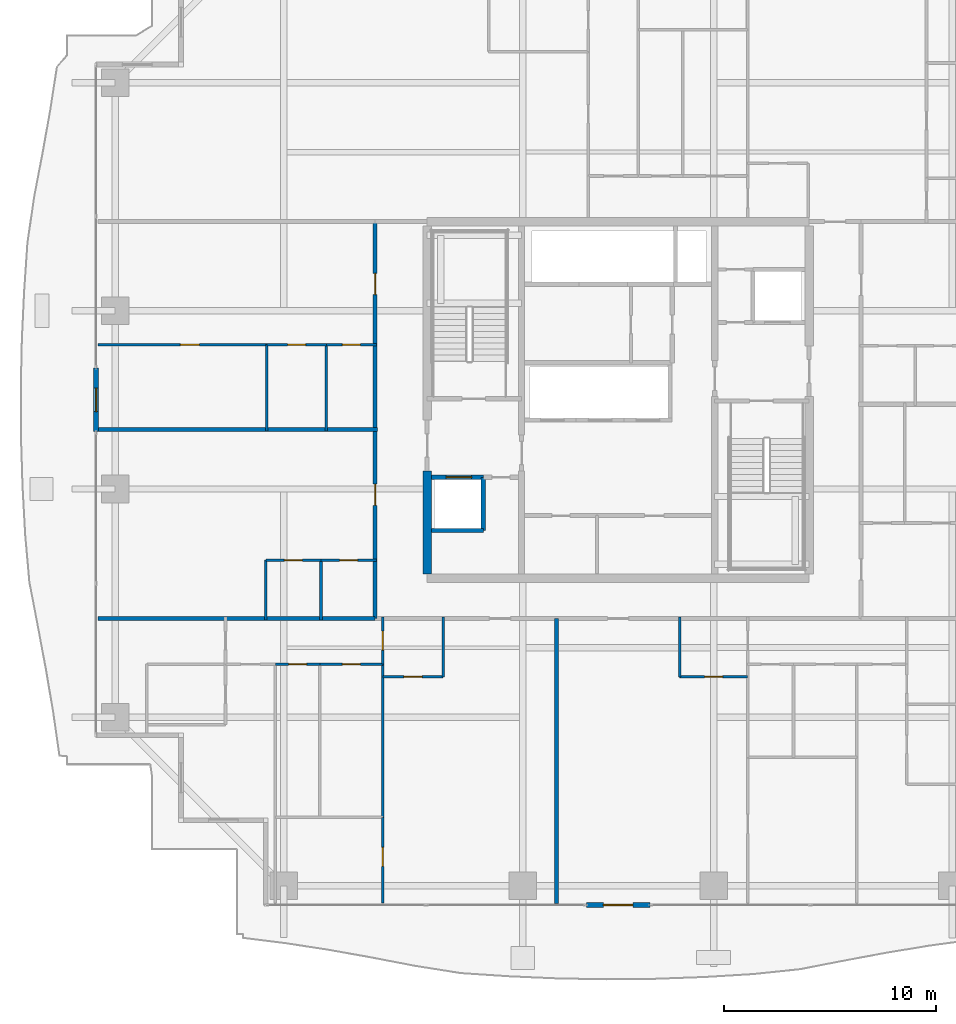
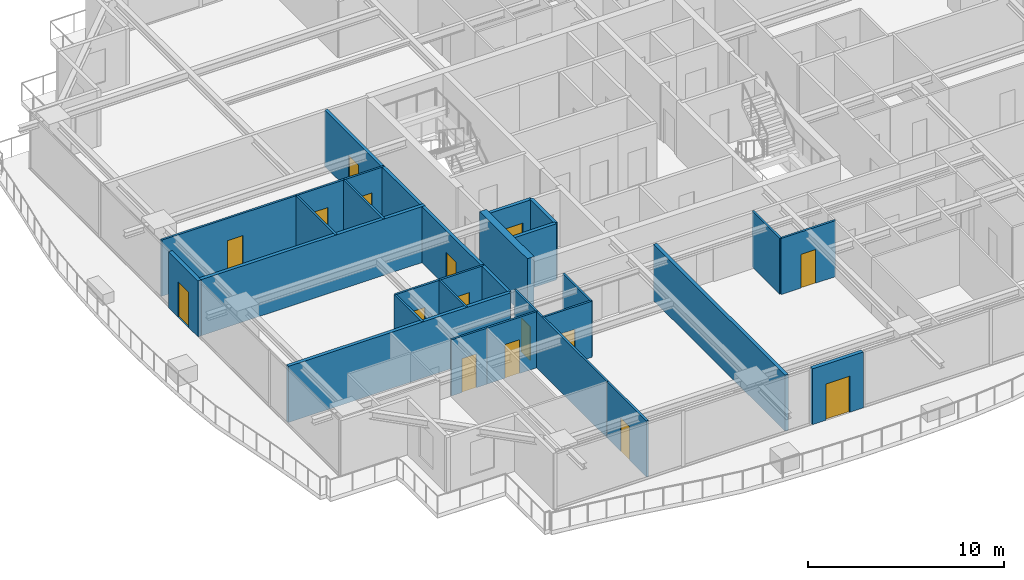
# One storey, part 24 of 34: 28 walls, 16 doors, 16 openings.
"""IFC4 building model written with IfcOpenShell, lengths in metres."""

import ifcopenshell
import ifcopenshell.guid

model = None  # the IFC model being written
_history = None  # IfcOwnerHistory: only IFC2X3 demands one
_inside = {}  # id of a spatial element -> (the spatial element, [elements in it])
_under = {}  # id of a project, library or spatial element -> (it, [spatial elements below it])
_declared = {}  # id of a project -> (the project, [libraries it declares])
_typed = {}  # id of a type object -> (the type object, [elements of that type])
_made_of = {}  # id of a material, layer set ... -> (it, [elements and type objects made of it])


def new_model(schema):
    """Start an empty IFC model of exactly this schema.

    Asked for "IFC4X3", IfcOpenShell would pick the latest addendum, in which some entities
    have other attributes; the version numbers below select the first issue.
    IFC2X3 requires an IfcOwnerHistory on every rooted entity: one is made here for all.
    """
    global model, _history
    if schema == "IFC4X3":
        model = ifcopenshell.file(schema_version=(4, 3, 0, 0))
    else:
        model = ifcopenshell.file(schema=schema)
    _inside.clear()
    _under.clear()
    _declared.clear()
    _typed.clear()
    _made_of.clear()
    _history = None
    if model.schema == "IFC2X3":
        org = make("IfcOrganization", Name="unknown")
        user = make(
            "IfcPersonAndOrganization",
            ThePerson=make("IfcPerson", FamilyName="unknown"),
            TheOrganization=org,
        )
        app = make(
            "IfcApplication",
            ApplicationDeveloper=org,
            Version="unknown",
            ApplicationFullName="unknown",
            ApplicationIdentifier="unknown",
        )
        _history = make(
            "IfcOwnerHistory",
            OwningUser=user,
            OwningApplication=app,
            ChangeAction="ADDED",
            CreationDate=0,
        )
    return model


def make(cls, **values):
    """One entity of the class cls with the attributes given. An attribute that is None is left unset."""
    return model.create_entity(
        cls, **{name: value for name, value in values.items() if value is not None}
    )


def rooted(cls, **values):
    """An entity with a GlobalId (a new one), such as an element, a storey or a relation."""
    return make(cls, GlobalId=ifcopenshell.guid.new(), OwnerHistory=_history, **values)


def si_unit(unit_type, name, prefix=None):
    """IfcSIUnit, for example si_unit("LENGTHUNIT", "METRE", prefix="MILLI")."""
    return make("IfcSIUnit", UnitType=unit_type, Prefix=prefix, Name=name)


def assignment(units):
    """IfcUnitAssignment: the units of a project."""
    return None if units is None else make("IfcUnitAssignment", Units=units)


def point(xyz):
    """IfcCartesianPoint."""
    return None if xyz is None else make("IfcCartesianPoint", Coordinates=xyz)


def direction(xyz):
    """IfcDirection."""
    return None if xyz is None else make("IfcDirection", DirectionRatios=xyz)


def frame(location, z_axis=None, x_axis=None):
    """IfcAxis2Placement3D, a coordinate frame: its origin and axes. An axis left out is left unset."""
    return make(
        "IfcAxis2Placement3D",
        Location=point(location),
        Axis=direction(z_axis),
        RefDirection=direction(x_axis),
    )


def frame_2d(location, x_axis=None):
    """IfcAxis2Placement2D, a coordinate frame in the plane: its origin and x axis."""
    return make(
        "IfcAxis2Placement2D", Location=point(location), RefDirection=direction(x_axis)
    )


def origin():
    """The frame at (0, 0, 0) with its axes left unset."""
    return frame((0.0, 0.0, 0.0))


def place(relative_to, where):
    """IfcLocalPlacement: puts the frame where relative to a parent placement (None: the world)."""
    return make(
        "IfcLocalPlacement", PlacementRelTo=relative_to, RelativePlacement=where
    )


def context(
    kind, dimensions, precision=None, world=None, true_north=None, identifier=None
):
    """IfcGeometricRepresentationContext, for example the 3D "Model" context."""
    return make(
        "IfcGeometricRepresentationContext",
        ContextIdentifier=identifier,
        ContextType=kind,
        CoordinateSpaceDimension=dimensions,
        Precision=precision,
        WorldCoordinateSystem=world,
        TrueNorth=true_north,
    )


def subcontext(parent, identifier, kind, view, scale=None):
    """IfcGeometricRepresentationSubContext, for example "Body" below "Model"."""
    return make(
        "IfcGeometricRepresentationSubContext",
        ContextIdentifier=identifier,
        ContextType=kind,
        ParentContext=parent,
        TargetScale=scale,
        TargetView=view,
    )


def project(units=None, contexts=None):
    """IfcProject with its units and contexts."""
    return rooted(
        "IfcProject",
        Name="project",
        RepresentationContexts=contexts,
        UnitsInContext=assignment(units),
    )


def spatial(cls, under=None, at=None, **own):
    """A site, building, storey or space (cls), placed at a placement, below another one or the project."""
    s = rooted(cls, ObjectPlacement=at, **own)
    if under is not None:
        _under.setdefault(under.id(), (under, []))[1].append(s)
    return s


def profile(cls, at=None, kind="AREA", **sizes):
    """A parametric profile (cls). Its sizes go by their IFC names, for example OverallWidth=200.0."""
    return make(cls, ProfileType=kind, Position=at, **sizes)


def rectangle(**sizes):
    """IfcRectangleProfileDef."""
    return profile("IfcRectangleProfileDef", **sizes)


def extrude(swept, where, along, depth):
    """IfcExtrudedAreaSolid: the profile swept, set in the frame where, extruded along a direction by depth."""
    return make(
        "IfcExtrudedAreaSolid",
        SweptArea=swept,
        Position=where,
        ExtrudedDirection=direction(along),
        Depth=depth,
    )


def shape(context_of_items, identifier, shape_type, items):
    """IfcShapeRepresentation: the items that make up one representation, for example the "Body"."""
    return make(
        "IfcShapeRepresentation",
        ContextOfItems=context_of_items,
        RepresentationIdentifier=identifier,
        RepresentationType=shape_type,
        Items=items,
    )


def source(mapping_origin, context_of_items, identifier, shape_type, items):
    """IfcRepresentationMap: a shape defined once, which mapped items show again and again."""
    return make(
        "IfcRepresentationMap",
        MappingOrigin=mapping_origin,
        MappedRepresentation=shape(context_of_items, identifier, shape_type, items),
    )


def transform(
    local_origin,
    x_axis=None,
    y_axis=None,
    z_axis=None,
    scale=None,
    scale2=None,
    scale3=None,
    uniform=True,
):
    """IfcCartesianTransformationOperator3D, or its non-uniform kind. x_axis, y_axis, z_axis: its Axis1, 2, 3."""
    if uniform:
        return make(
            "IfcCartesianTransformationOperator3D",
            Axis1=direction(x_axis),
            Axis2=direction(y_axis),
            LocalOrigin=point(local_origin),
            Scale=scale,
            Axis3=direction(z_axis),
        )
    return make(
        "IfcCartesianTransformationOperator3DnonUniform",
        Axis1=direction(x_axis),
        Axis2=direction(y_axis),
        LocalOrigin=point(local_origin),
        Scale=scale,
        Axis3=direction(z_axis),
        Scale2=scale2,
        Scale3=scale3,
    )


def mapped(mapping_source, mapping_target):
    """IfcMappedItem: shows the shape of a source again, moved by a transform."""
    return make(
        "IfcMappedItem", MappingSource=mapping_source, MappingTarget=mapping_target
    )


def material(Name=None, Category=None):
    """IfcMaterial."""
    return make("IfcMaterial", Name=Name, Category=Category)


def layer(
    of_material, thickness, ventilated=None, Name=None, Category=None, Priority=None
):
    """IfcMaterialLayer: one layer of a wall or slab, of a material (None: an air gap)."""
    return make(
        "IfcMaterialLayer",
        Material=of_material,
        LayerThickness=thickness,
        IsVentilated=ventilated,
        Name=Name,
        Category=Category,
        Priority=Priority,
    )


def layer_set(layers, Name=None):
    """IfcMaterialLayerSet."""
    return make("IfcMaterialLayerSet", MaterialLayers=layers, LayerSetName=Name)


def made_of(thing, what):
    """Note that an element or type object is made of a material, layer set ...; save() writes the relation."""
    if what is not None:
        _made_of.setdefault(what.id(), (what, []))[1].append(thing)
    return thing


def type_object(cls, material=None, **own):
    """A type object (cls), such as IfcWallType, which elements share."""
    return made_of(rooted(cls, **own), material)


def element(
    cls,
    number,
    at=None,
    inside=None,
    cuts=None,
    type_object=None,
    material=None,
    context=None,
    identifier="Body",
    shape_type=None,
    held_by="IfcProductDefinitionShape",
    body=None,
    shapes=None,
    **own,
):
    """One element of the class cls, such as IfcWall. Its Tag is "e" and its number.

    at: its placement. inside: the storey or other place that contains it. cuts: it is an
    opening in that element (IfcRelVoidsElement). A single representation is given by context,
    identifier, shape_type and body (its items); several are given by shapes. held_by: the class
    of the entity that holds the representations. save() writes the other relations.
    """
    e = rooted(cls, Tag="e%d" % number, ObjectPlacement=at, **own)
    if body is not None:
        shapes = [shape(context, identifier, shape_type, body)]
    if shapes is not None:
        e.Representation = make(held_by, Representations=shapes)
    if inside is not None:
        _inside.setdefault(inside.id(), (inside, []))[1].append(e)
    if cuts is not None:
        rooted(
            "IfcRelVoidsElement", RelatingBuildingElement=cuts, RelatedOpeningElement=e
        )
    if type_object is not None:
        _typed.setdefault(type_object.id(), (type_object, []))[1].append(e)
    return made_of(e, material)


def fill(opening, filler):
    """IfcRelFillsElement: the door or window that sits in an opening."""
    return rooted(
        "IfcRelFillsElement",
        RelatingOpeningElement=opening,
        RelatedBuildingElement=filler,
    )


def aggregate(whole, parts):
    """IfcRelAggregates: a whole, such as a stair, and the parts it consists of."""
    return rooted("IfcRelAggregates", RelatingObject=whole, RelatedObjects=parts)


def save(model, path):
    """Write the relations noted so far, then the file.

    IfcRelAggregates (storeys below a building ...), IfcRelContainedInSpatialStructure (elements
    in a storey), IfcRelDefinesByType, IfcRelAssociatesMaterial and IfcRelDeclares: one each for
    every whole, place, type object, material and project.
    """
    for whole, parts in _under.values():
        aggregate(whole, parts)
    for where, things in _inside.values():
        rooted(
            "IfcRelContainedInSpatialStructure",
            RelatedElements=things,
            RelatingStructure=where,
        )
    for kind, things in _typed.values():
        rooted("IfcRelDefinesByType", RelatedObjects=things, RelatingType=kind)
    for what, things in _made_of.values():
        rooted("IfcRelAssociatesMaterial", RelatedObjects=things, RelatingMaterial=what)
    for by, libraries in _declared.values():
        rooted("IfcRelDeclares", RelatingContext=by, RelatedDefinitions=libraries)
    model.write(path)


model = new_model("IFC4")

# Units and contexts
model_context = context("Model", 3, precision=1e-05, world=origin(), true_north=direction((0.0, 1.0)))
body_context = subcontext(model_context, "Body", "Model", "MODEL_VIEW")
ifc_project = project(units=[si_unit("LENGTHUNIT", "METRE"), si_unit("AREAUNIT", "SQUARE_METRE"), si_unit("VOLUMEUNIT", "CUBIC_METRE"), si_unit("PLANEANGLEUNIT", "RADIAN"), si_unit("MASSUNIT", "GRAM", prefix="KILO")], contexts=[model_context])

# Site, building, storey
site_placement = place(None, origin())
site = spatial("IfcSite", under=ifc_project, at=site_placement, CompositionType="ELEMENT")
building_placement = place(site_placement, origin())
building = spatial("IfcBuilding", under=site, at=building_placement, Name="Serunith Strait Residences", CompositionType="ELEMENT")
storey_placement = place(building_placement, frame((0.0, 0.0, 142.64990234375)))
storey = spatial("IfcBuildingStorey", under=building, at=storey_placement, Name="L35", CompositionType="ELEMENT", Elevation=142.64990234375)

# Wall, opening, door
ifc_material_1 = material(Name="Pale-Champagne Aluminium Insulated Panel", Category="aluminium")
ifc_layer_1 = layer(ifc_material_1, 0.219970703125, Name="Pale-Champagne Aluminium Insulated Panel")
ifc_layer_set_1 = layer_set([ifc_layer_1], Name="Pale-Champagne Aluminium Insulated Panel")
wall_type_1 = type_object("IfcWallType", Name="EW-ALUM-220", PredefinedType="ELEMENTEDWALL", material=ifc_layer_set_1)
wall_1_placement = place(storey_placement, frame((30.89990234375, 1.39990234375, 0.0), z_axis=(0.0, 0.0, 1.0), x_axis=(1.0, 0.0, 0.0)))
wall_1 = element("IfcWall", 1, at=wall_1_placement, inside=storey, type_object=wall_type_1, Name="L35 S Facade Pier Wall", PredefinedType="ELEMENTEDWALL", context=body_context, shape_type="SweptSolid", body=[
    extrude(rectangle(XDim=3.0, YDim=0.219970703125, at=frame_2d((1.5, 0.0))), origin(), (0.0, 0.0, 1.0), 3.47509765625),
])
opening_1_placement = place(wall_1_placement, frame((0.800048828125, 0.0, 0.0)))
opening_1 = element("IfcOpeningElement", 2, at=opening_1_placement, cuts=wall_1, Name="Opening ED-04", PredefinedType="OPENING", context=body_context, shape_type="SweptSolid", body=[
    extrude(rectangle(XDim=1.39990234375, YDim=2.25, at=frame_2d((0.699951171875, 1.125))), frame((0.0, 0.1201171875, 0.0), z_axis=(0.0, -1.0, 0.0), x_axis=(1.0, 0.0, 0.0)), (0.0, 0.0, 1.0), 0.239990234375),
])
ifc_material_2 = material(Name="Thermally-Broken Aluminium Sliding Balcony Door", Category="aluminium")
door_type_1 = type_object("IfcDoorType", Name="ED-BALC-1400", OperationType="NOTDEFINED", PredefinedType="DOOR", material=ifc_material_2)
shared_shape_1 = source(origin(), body_context, "Body", "SweptSolid", [
    extrude(rectangle(XDim=1.39990234375, YDim=2.25, at=frame_2d((0.699951171875, 1.125))), frame((0.0, 0.02490234375, 0.0), z_axis=(0.0, -1.0, 0.0), x_axis=(1.0, 0.0, 0.0)), (0.0, 0.0, 1.0), 0.050048828125),
])
door_1_placement = place(opening_1_placement, origin())
door_1 = element("IfcDoor", 3, at=door_1_placement, inside=storey, type_object=door_type_1, Name="L35 S Vertical-Forest Balcony Door", OperationType="SLIDING_TO_LEFT", OverallHeight=2.25, OverallWidth=1.39990234375, PredefinedType="DOOR", context=body_context, shape_type="MappedRepresentation", body=[
    mapped(shared_shape_1, transform((0.0, 0.0, 0.0), scale=1.0)),
])
fill(opening_1, door_1)

wall_2_placement = place(storey_placement, frame((7.800048828125, 26.699951171875, 0.0), z_axis=(0.0, 0.0, 1.0), x_axis=(0.0, -1.0, 0.0)))
wall_2 = element("IfcWall", 4, at=wall_2_placement, inside=storey, type_object=wall_type_1, Name="L35 W Facade Pier Wall", PredefinedType="ELEMENTEDWALL", context=body_context, shape_type="SweptSolid", body=[
    extrude(rectangle(XDim=3.0, YDim=0.219970703125, at=frame_2d((1.5, 0.0))), origin(), (0.0, 0.0, 1.0), 3.47509765625),
])
opening_2_placement = place(wall_2_placement, frame((0.949951171875, 0.0, 0.0)))
opening_2 = element("IfcOpeningElement", 5, at=opening_2_placement, cuts=wall_2, Name="Opening ED-03", PredefinedType="OPENING", context=body_context, shape_type="SweptSolid", body=[
    extrude(rectangle(XDim=1.10009765625, YDim=2.199951171875, at=frame_2d((0.550048828125, 1.10009765625))), frame((0.0, 0.1201171875, 0.0), z_axis=(0.0, -1.0, 0.0), x_axis=(1.0, 0.0, 0.0)), (0.0, 0.0, 1.0), 0.239990234375),
])
ifc_material_3 = material(Name="Thermally-Broken Aluminium Glazed Balcony Door", Category="aluminium")
door_type_2 = type_object("IfcDoorType", Name="ED-BALC-1100", OperationType="NOTDEFINED", PredefinedType="DOOR", material=ifc_material_3)
shared_shape_2 = source(origin(), body_context, "Body", "SweptSolid", [
    extrude(rectangle(XDim=1.10009765625, YDim=2.199951171875, at=frame_2d((0.550048828125, 1.10009765625))), frame((0.0, 0.02490234375, 0.0), z_axis=(0.0, -1.0, 0.0), x_axis=(1.0, 0.0, 0.0)), (0.0, 0.0, 1.0), 0.050048828125),
])
door_2_placement = place(opening_2_placement, origin())
door_2 = element("IfcDoor", 6, at=door_2_placement, inside=storey, type_object=door_type_2, Name="L35 W Vertical-Forest Balcony Door", OperationType="SINGLE_SWING_LEFT", OverallHeight=2.199951171875, OverallWidth=1.10009765625, PredefinedType="DOOR", context=body_context, shape_type="MappedRepresentation", body=[
    mapped(shared_shape_2, transform((0.0, 0.0, 0.0), scale=1.0)),
])
fill(opening_2, door_2)

# Wall, openings, doors
ifc_material_4 = material(Name="Fire-rated acoustic gypsum partition")
ifc_layer_2 = layer(ifc_material_4, 0.179931640625, Name="Fire-rated acoustic gypsum partition")
ifc_layer_set_2 = layer_set([ifc_layer_2], Name="Fire-rated acoustic gypsum partition")
wall_type_2 = type_object("IfcWallType", Name="IW-CORR-180", PredefinedType="PARTITIONING", material=ifc_layer_set_2)
wall_3_placement = place(storey_placement, frame((20.949951171875, 14.89990234375, 0.0), z_axis=(0.0, 0.0, 1.0), x_axis=(0.0, 1.0, 0.0)))
wall_3 = element("IfcWall", 7, at=wall_3_placement, inside=storey, type_object=wall_type_2, Name="L35 Partition Wall 026", PredefinedType="PARTITIONING", context=body_context, shape_type="SweptSolid", body=[
    extrude(rectangle(XDim=18.7001953125, YDim=0.179931640625, at=frame_2d((9.35009765625, 0.0))), origin(), (0.0, 0.0, 1.0), 3.489990234375),
])
opening_3_placement = place(wall_3_placement, frame((5.327880859375, 0.0, 0.0)))
opening_3 = element("IfcOpeningElement", 8, at=opening_3_placement, cuts=wall_3, Name="Opening D-APT1000", PredefinedType="OPENING", context=body_context, shape_type="SweptSolid", body=[
    extrude(rectangle(XDim=1.0, YDim=2.14990234375, at=frame_2d((0.5, 1.074951171875))), frame((0.0, 0.10009765625, 0.0), z_axis=(0.0, -1.0, 0.0), x_axis=(1.0, 0.0, 0.0)), (0.0, 0.0, 1.0), 0.199951171875),
])
opening_4_placement = place(wall_3_placement, frame((15.257080078125, 0.0, 0.0)))
opening_4 = element("IfcOpeningElement", 9, at=opening_4_placement, cuts=wall_3, Name="Opening D-APT1000", PredefinedType="OPENING", context=body_context, shape_type="SweptSolid", body=[
    extrude(rectangle(XDim=1.0, YDim=2.14990234375, at=frame_2d((0.5, 1.074951171875))), frame((0.0, 0.10009765625, 0.0), z_axis=(0.0, -1.0, 0.0), x_axis=(1.0, 0.0, 0.0)), (0.0, 0.0, 1.0), 0.199951171875),
])
ifc_material_5 = material(Name="Solid timber engineered fire door", Category="wood")
door_type_3 = type_object("IfcDoorType", Name="ID-APT-1000", OperationType="NOTDEFINED", PredefinedType="DOOR", material=ifc_material_5)
shared_shape_3 = source(origin(), body_context, "Body", "SweptSolid", [
    extrude(rectangle(XDim=1.0, YDim=2.14990234375, at=frame_2d((0.5, 1.074951171875))), frame((0.0, 0.02490234375, 0.0), z_axis=(0.0, -1.0, 0.0), x_axis=(1.0, 0.0, 0.0)), (0.0, 0.0, 1.0), 0.050048828125),
])
door_3_placement = place(opening_3_placement, origin())
door_3 = element("IfcDoor", 10, at=door_3_placement, inside=storey, type_object=door_type_3, Name="L35 Unit 04 Entrance Door", OperationType="SINGLE_SWING_RIGHT", OverallHeight=2.14990234375, OverallWidth=1.0, PredefinedType="DOOR", context=body_context, shape_type="MappedRepresentation", body=[
    mapped(shared_shape_3, transform((0.0, 0.0, 0.0), scale=1.0)),
])
fill(opening_3, door_3)
door_4_placement = place(opening_4_placement, origin())
door_4 = element("IfcDoor", 11, at=door_4_placement, inside=storey, type_object=door_type_3, Name="L35 Unit 05 Entrance Door", OperationType="SINGLE_SWING_LEFT", OverallHeight=2.14990234375, OverallWidth=1.0, PredefinedType="DOOR", context=body_context, shape_type="MappedRepresentation", body=[
    mapped(shared_shape_3, transform((0.0, 0.0, 0.0), scale=1.0)),
])
fill(opening_4, door_4)

# Wall, opening, door
ifc_material_6 = material(Name="Lightweight steel-stud gypsum partition", Category="steel")
ifc_layer_3 = layer(ifc_material_6, 0.1201171875, Name="Lightweight steel-stud gypsum partition")
ifc_layer_set_3 = layer_set([ifc_layer_3], Name="Lightweight steel-stud gypsum partition")
wall_type_3 = type_object("IfcWallType", Name="IW-PART-120", PredefinedType="PARTITIONING", material=ifc_layer_set_3)
wall_4_placement = place(storey_placement, frame((21.31005859375, 12.14990234375, 0.0), z_axis=(0.0, 0.0, 1.0), x_axis=(1.0, 0.0, 0.0)))
wall_4 = element("IfcWall", 12, at=wall_4_placement, inside=storey, type_object=wall_type_3, Name="L35 Partition Wall 030", PredefinedType="PARTITIONING", context=body_context, shape_type="SweptSolid", body=[
    extrude(rectangle(XDim=2.849853515625, YDim=0.1201171875, at=frame_2d((1.4248046875, 0.0))), origin(), (0.0, 0.0, 1.0), 3.489990234375),
])
opening_5_placement = place(wall_4_placement, frame((1.0, 0.0, 0.0)))
opening_5 = element("IfcOpeningElement", 13, at=opening_5_placement, cuts=wall_4, Name="Opening D-RM850", PredefinedType="OPENING", context=body_context, shape_type="SweptSolid", body=[
    extrude(rectangle(XDim=0.85009765625, YDim=2.10009765625, at=frame_2d((0.425048828125, 1.050048828125))), frame((0.0, 0.070068359375, 0.0), z_axis=(0.0, -1.0, 0.0), x_axis=(1.0, 0.0, 0.0)), (0.0, 0.0, 1.0), 0.14013671875),
])
ifc_material_7 = material(Name="Engineered timber flush study and kitchen door", Category="wood")
door_type_4 = type_object("IfcDoorType", Name="ID-ROOM-850", OperationType="NOTDEFINED", PredefinedType="DOOR", material=ifc_material_7)
shared_shape_4 = source(origin(), body_context, "Body", "SweptSolid", [
    extrude(rectangle(XDim=0.85009765625, YDim=2.10009765625, at=frame_2d((0.425048828125, 1.050048828125))), frame((0.0, 0.02490234375, 0.0), z_axis=(0.0, -1.0, 0.0), x_axis=(1.0, 0.0, 0.0)), (0.0, 0.0, 1.0), 0.050048828125),
])
door_5_placement = place(opening_5_placement, origin())
door_5 = element("IfcDoor", 14, at=door_5_placement, inside=storey, type_object=door_type_4, Name="L35 Kitchen 3501 Door", OperationType="SINGLE_SWING_LEFT", OverallHeight=2.10009765625, OverallWidth=0.85009765625, PredefinedType="DOOR", context=body_context, shape_type="MappedRepresentation", body=[
    mapped(shared_shape_4, transform((0.0, 0.0, 0.0), scale=1.0)),
])
fill(opening_5, door_5)

# Wall
wall_5_placement = place(storey_placement, frame((24.159912109375, 12.14990234375, 0.0), z_axis=(0.0, 0.0, 1.0), x_axis=(0.0, 1.0, 0.0)))
element("IfcWall", 15, at=wall_5_placement, inside=storey, type_object=wall_type_3, Name="L35 Partition Wall 031", PredefinedType="PARTITIONING", context=body_context, shape_type="SweptSolid", body=[
    extrude(rectangle(XDim=2.81005859375, YDim=0.1201171875, at=frame_2d((1.405029296875, 0.0))), origin(), (0.0, 0.0, 1.0), 3.489990234375),
])

# Wall, opening, door
wall_6_placement = place(storey_placement, frame((21.31005859375, 12.75, 0.0), z_axis=(0.0, 0.0, 1.0), x_axis=(0.0, 1.0, 0.0)))
wall_6 = element("IfcWall", 16, at=wall_6_placement, inside=storey, type_object=wall_type_3, Name="L35 Partition Wall 032", PredefinedType="PARTITIONING", context=body_context, shape_type="SweptSolid", body=[
    extrude(rectangle(XDim=2.2099609375, YDim=0.1201171875, at=frame_2d((1.10498046875, 0.0))), origin(), (0.0, 0.0, 1.0), 3.489990234375),
])
opening_6_placement = place(wall_6_placement, frame((0.655029296875, 0.0, 0.0)))
opening_6 = element("IfcOpeningElement", 17, at=opening_6_placement, cuts=wall_6, Name="Opening D-RM900", PredefinedType="OPENING", context=body_context, shape_type="SweptSolid", body=[
    extrude(rectangle(XDim=0.89990234375, YDim=2.10009765625, at=frame_2d((0.449951171875, 1.050048828125))), frame((0.0, 0.070068359375, 0.0), z_axis=(0.0, -1.0, 0.0), x_axis=(1.0, 0.0, 0.0)), (0.0, 0.0, 1.0), 0.14013671875),
])
ifc_material_8 = material(Name="Engineered timber flush bedroom door", Category="wood")
door_type_5 = type_object("IfcDoorType", Name="ID-ROOM-900", OperationType="NOTDEFINED", PredefinedType="DOOR", material=ifc_material_8)
shared_shape_5 = source(origin(), body_context, "Body", "SweptSolid", [
    extrude(rectangle(XDim=0.89990234375, YDim=2.10009765625, at=frame_2d((0.449951171875, 1.050048828125))), frame((0.0, 0.02490234375, 0.0), z_axis=(0.0, -1.0, 0.0), x_axis=(1.0, 0.0, 0.0)), (0.0, 0.0, 1.0), 0.050048828125),
])
door_6_placement = place(opening_6_placement, origin())
door_6 = element("IfcDoor", 18, at=door_6_placement, inside=storey, type_object=door_type_5, Name="L35 Hall W 3501 Door", OperationType="SINGLE_SWING_RIGHT", OverallHeight=2.10009765625, OverallWidth=0.89990234375, PredefinedType="DOOR", context=body_context, shape_type="MappedRepresentation", body=[
    mapped(shared_shape_5, transform((0.0, 0.0, 0.0), scale=1.0)),
])
fill(opening_6, door_6)

wall_7_placement = place(storey_placement, frame((21.31005859375, 1.4951171875, 0.0), z_axis=(0.0, 0.0, 1.0), x_axis=(0.0, 1.0, 0.0)))
wall_7 = element("IfcWall", 19, at=wall_7_placement, inside=storey, type_object=wall_type_3, Name="L35 Partition Wall 033", PredefinedType="PARTITIONING", context=body_context, shape_type="SweptSolid", body=[
    extrude(rectangle(XDim=4.035888671875, YDim=0.1201171875, at=frame_2d((2.01806640625, 0.0))), origin(), (0.0, 0.0, 1.0), 3.489990234375),
])
opening_7_placement = place(wall_7_placement, frame((1.72509765625, 0.0, 0.0)))
opening_7 = element("IfcOpeningElement", 20, at=opening_7_placement, cuts=wall_7, Name="Opening D-RM900", PredefinedType="OPENING", context=body_context, shape_type="SweptSolid", body=[
    extrude(rectangle(XDim=0.89990234375, YDim=2.10009765625, at=frame_2d((0.449951171875, 1.050048828125))), frame((0.0, 0.070068359375, 0.0), z_axis=(0.0, -1.0, 0.0), x_axis=(1.0, 0.0, 0.0)), (0.0, 0.0, 1.0), 0.14013671875),
])
door_7_placement = place(opening_7_placement, origin())
door_7 = element("IfcDoor", 21, at=door_7_placement, inside=storey, type_object=door_type_5, Name="L35 Study 1 3501 Door", OperationType="SINGLE_SWING_LEFT", OverallHeight=2.10009765625, OverallWidth=0.89990234375, PredefinedType="DOOR", context=body_context, shape_type="MappedRepresentation", body=[
    mapped(shared_shape_5, transform((0.0, 0.0, 0.0), scale=1.0)),
])
fill(opening_7, door_7)

# Wall
wall_8_placement = place(storey_placement, frame((21.31005859375, 5.532958984375, 0.0), z_axis=(0.0, 0.0, 1.0), x_axis=(0.0, 1.0, 0.0)))
element("IfcWall", 22, at=wall_8_placement, inside=storey, type_object=wall_type_3, Name="L35 Partition Wall 034", PredefinedType="PARTITIONING", context=body_context, shape_type="SweptSolid", body=[
    extrude(rectangle(XDim=7.215087890625, YDim=0.1201171875, at=frame_2d((3.607421875, 0.0))), origin(), (0.0, 0.0, 1.0), 3.489990234375),
])

# Wall, opening, door
wall_9_placement = place(storey_placement, frame((16.25, 12.75, 0.0), z_axis=(0.0, 0.0, 1.0), x_axis=(1.0, 0.0, 0.0)))
wall_9 = element("IfcWall", 23, at=wall_9_placement, inside=storey, type_object=wall_type_3, Name="L35 Partition Wall 038", PredefinedType="PARTITIONING", context=body_context, shape_type="SweptSolid", body=[
    extrude(rectangle(XDim=2.10009765625, YDim=0.1201171875, at=frame_2d((1.050048828125, 0.0))), origin(), (0.0, 0.0, 1.0), 3.489990234375),
])
opening_8_placement = place(wall_9_placement, frame((0.625, 0.0, 0.0)))
opening_8 = element("IfcOpeningElement", 24, at=opening_8_placement, cuts=wall_9, Name="Opening D-BTH850", PredefinedType="OPENING", context=body_context, shape_type="SweptSolid", body=[
    extrude(rectangle(XDim=0.85009765625, YDim=2.10009765625, at=frame_2d((0.425048828125, 1.050048828125))), frame((0.0, 0.070068359375, 0.0), z_axis=(0.0, -1.0, 0.0), x_axis=(1.0, 0.0, 0.0)), (0.0, 0.0, 1.0), 0.14013671875),
])
ifc_material_9 = material(Name="Moisture-resistant timber bathroom door", Category="wood")
door_type_6 = type_object("IfcDoorType", Name="ID-BATH-850", OperationType="NOTDEFINED", PredefinedType="DOOR", material=ifc_material_9)
door_8_placement = place(opening_8_placement, origin())
door_8 = element("IfcDoor", 25, at=door_8_placement, inside=storey, type_object=door_type_6, Name="L35 Bathroom 3501 Door", OperationType="SINGLE_SWING_RIGHT", OverallHeight=2.10009765625, OverallWidth=0.85009765625, PredefinedType="DOOR", context=body_context, shape_type="MappedRepresentation", body=[
    mapped(shared_shape_4, transform((0.0, 0.0, 0.0), scale=1.0)),
])
fill(opening_8, door_8)

wall_10_placement = place(storey_placement, frame((18.35205078125, 12.75, 0.0), z_axis=(0.0, 0.0, 1.0), x_axis=(1.0, 0.0, 0.0)))
wall_10 = element("IfcWall", 26, at=wall_10_placement, inside=storey, type_object=wall_type_3, Name="L35 Partition Wall 039", PredefinedType="PARTITIONING", context=body_context, shape_type="SweptSolid", body=[
    extrude(rectangle(XDim=2.9580078125, YDim=0.1201171875, at=frame_2d((1.47900390625, 0.0))), origin(), (0.0, 0.0, 1.0), 3.489990234375),
])
opening_9_placement = place(wall_10_placement, frame((1.053955078125, 0.0, 0.0)))
opening_9 = element("IfcOpeningElement", 27, at=opening_9_placement, cuts=wall_10, Name="Opening D-RM850", PredefinedType="OPENING", context=body_context, shape_type="SweptSolid", body=[
    extrude(rectangle(XDim=0.85009765625, YDim=2.10009765625, at=frame_2d((0.425048828125, 1.050048828125))), frame((0.0, 0.070068359375, 0.0), z_axis=(0.0, -1.0, 0.0), x_axis=(1.0, 0.0, 0.0)), (0.0, 0.0, 1.0), 0.14013671875),
])
door_9_placement = place(opening_9_placement, origin())
door_9 = element("IfcDoor", 28, at=door_9_placement, inside=storey, type_object=door_type_4, Name="L35 Study 3501 Door", OperationType="SINGLE_SWING_LEFT", OverallHeight=2.10009765625, OverallWidth=0.85009765625, PredefinedType="DOOR", context=body_context, shape_type="MappedRepresentation", body=[
    mapped(shared_shape_4, transform((0.0, 0.0, 0.0), scale=1.0)),
])
fill(opening_9, door_9)

wall_11_placement = place(storey_placement, frame((35.300048828125, 12.14990234375, 0.0), z_axis=(0.0, 0.0, 1.0), x_axis=(1.0, 0.0, 0.0)))
wall_11 = element("IfcWall", 29, at=wall_11_placement, inside=storey, type_object=wall_type_3, Name="L35 Partition Wall 046", PredefinedType="PARTITIONING", context=body_context, shape_type="SweptSolid", body=[
    extrude(rectangle(XDim=3.199951171875, YDim=0.1201171875, at=frame_2d((1.60009765625, 0.0))), origin(), (0.0, 0.0, 1.0), 3.489990234375),
])
opening_10_placement = place(wall_11_placement, frame((1.175048828125, 0.0, 0.0)))
opening_10 = element("IfcOpeningElement", 30, at=opening_10_placement, cuts=wall_11, Name="Opening D-RM850", PredefinedType="OPENING", context=body_context, shape_type="SweptSolid", body=[
    extrude(rectangle(XDim=0.85009765625, YDim=2.10009765625, at=frame_2d((0.425048828125, 1.050048828125))), frame((0.0, 0.070068359375, 0.0), z_axis=(0.0, -1.0, 0.0), x_axis=(1.0, 0.0, 0.0)), (0.0, 0.0, 1.0), 0.14013671875),
])
door_10_placement = place(opening_10_placement, origin())
door_10 = element("IfcDoor", 31, at=door_10_placement, inside=storey, type_object=door_type_4, Name="L35 Kitchen 3502 Door", OperationType="SINGLE_SWING_LEFT", OverallHeight=2.10009765625, OverallWidth=0.85009765625, PredefinedType="DOOR", context=body_context, shape_type="MappedRepresentation", body=[
    mapped(shared_shape_4, transform((0.0, 0.0, 0.0), scale=1.0)),
])
fill(opening_10, door_10)

# Wall
wall_12_placement = place(storey_placement, frame((35.300048828125, 12.14990234375, 0.0), z_axis=(0.0, 0.0, 1.0), x_axis=(0.0, 1.0, 0.0)))
element("IfcWall", 32, at=wall_12_placement, inside=storey, type_object=wall_type_3, Name="L35 Partition Wall 047", PredefinedType="PARTITIONING", context=body_context, shape_type="SweptSolid", body=[
    extrude(rectangle(XDim=2.81005859375, YDim=0.1201171875, at=frame_2d((1.405029296875, 0.0))), origin(), (0.0, 0.0, 1.0), 3.489990234375),
])

# Wall, opening, door
wall_13_placement = place(storey_placement, frame((15.800048828125, 17.64990234375, 0.0), z_axis=(0.0, 0.0, 1.0), x_axis=(1.0, 0.0, 0.0)))
wall_13 = element("IfcWall", 33, at=wall_13_placement, inside=storey, type_object=wall_type_3, Name="L35 Partition Wall 086", PredefinedType="PARTITIONING", context=body_context, shape_type="SweptSolid", body=[
    extrude(rectangle(XDim=2.599853515625, YDim=0.1201171875, at=frame_2d((1.2998046875, 0.0))), origin(), (0.0, 0.0, 1.0), 3.489990234375),
])
opening_11_placement = place(wall_13_placement, frame((0.875, 0.0, 0.0)))
opening_11 = element("IfcOpeningElement", 34, at=opening_11_placement, cuts=wall_13, Name="Opening D-RM850", PredefinedType="OPENING", context=body_context, shape_type="SweptSolid", body=[
    extrude(rectangle(XDim=0.85009765625, YDim=2.10009765625, at=frame_2d((0.425048828125, 1.050048828125))), frame((0.0, 0.070068359375, 0.0), z_axis=(0.0, -1.0, 0.0), x_axis=(1.0, 0.0, 0.0)), (0.0, 0.0, 1.0), 0.14013671875),
])
door_11_placement = place(opening_11_placement, origin())
door_11 = element("IfcDoor", 35, at=door_11_placement, inside=storey, type_object=door_type_4, Name="L35 Kitchen 3504 Door", OperationType="SINGLE_SWING_RIGHT", OverallHeight=2.10009765625, OverallWidth=0.85009765625, PredefinedType="DOOR", context=body_context, shape_type="MappedRepresentation", body=[
    mapped(shared_shape_4, transform((0.0, 0.0, 0.0), scale=1.0)),
])
fill(opening_11, door_11)

wall_14_placement = place(storey_placement, frame((18.402099609375, 17.64990234375, 0.0), z_axis=(0.0, 0.0, 1.0), x_axis=(1.0, 0.0, 0.0)))
wall_14 = element("IfcWall", 36, at=wall_14_placement, inside=storey, type_object=wall_type_3, Name="L35 Partition Wall 087", PredefinedType="PARTITIONING", context=body_context, shape_type="SweptSolid", body=[
    extrude(rectangle(XDim=2.60791015625, YDim=0.1201171875, at=frame_2d((1.303955078125, 0.0))), origin(), (0.0, 0.0, 1.0), 3.489990234375),
])
opening_12_placement = place(wall_14_placement, frame((0.87890625, 0.0, 0.0)))
opening_12 = element("IfcOpeningElement", 37, at=opening_12_placement, cuts=wall_14, Name="Opening D-BTH850", PredefinedType="OPENING", context=body_context, shape_type="SweptSolid", body=[
    extrude(rectangle(XDim=0.85009765625, YDim=2.10009765625, at=frame_2d((0.425048828125, 1.050048828125))), frame((0.0, 0.070068359375, 0.0), z_axis=(0.0, -1.0, 0.0), x_axis=(1.0, 0.0, 0.0)), (0.0, 0.0, 1.0), 0.14013671875),
])
door_12_placement = place(opening_12_placement, origin())
door_12 = element("IfcDoor", 38, at=door_12_placement, inside=storey, type_object=door_type_6, Name="L35 Bathroom 3504 Door", OperationType="SINGLE_SWING_LEFT", OverallHeight=2.10009765625, OverallWidth=0.85009765625, PredefinedType="DOOR", context=body_context, shape_type="MappedRepresentation", body=[
    mapped(shared_shape_4, transform((0.0, 0.0, 0.0), scale=1.0)),
])
fill(opening_12, door_12)

# Walls
for number, where, z_axis, x_axis, name in (
    (39, (18.39990234375, 14.840087890625, 0.0), (0.0, 0.0, 1.0), (0.0, 1.0, 0.0), "L35 Partition Wall 088"),
    (40, (15.800048828125, 14.840087890625, 0.0), (0.0, 0.0, 1.0), (0.0, 1.0, 0.0), "L35 Partition Wall 089"),
):
    element("IfcWall", number, at=place(storey_placement, frame(where, z_axis=z_axis, x_axis=x_axis)), inside=storey, type_object=wall_type_3, Name=name, PredefinedType="PARTITIONING", context=body_context, shape_type="SweptSolid", body=[
        extrude(rectangle(XDim=2.809814453125, YDim=0.1201171875, at=frame_2d((1.40478515625, 0.0))), origin(), (0.0, 0.0, 1.0), 3.489990234375),
    ])

# Wall, opening, door
wall_15_placement = place(storey_placement, frame((7.89501953125, 27.800048828125, 0.0), z_axis=(0.0, 0.0, 1.0), x_axis=(1.0, 0.0, 0.0)))
wall_15 = element("IfcWall", 41, at=wall_15_placement, inside=storey, type_object=wall_type_3, Name="L35 Partition Wall 090", PredefinedType="PARTITIONING", context=body_context, shape_type="SweptSolid", body=[
    extrude(rectangle(XDim=7.950927734375, YDim=0.1201171875, at=frame_2d((3.9755859375, 0.0))), origin(), (0.0, 0.0, 1.0), 3.489990234375),
])
opening_13_placement = place(wall_15_placement, frame((3.8779296875, 0.0, 0.0)))
opening_13 = element("IfcOpeningElement", 42, at=opening_13_placement, cuts=wall_15, Name="Opening D-RM900", PredefinedType="OPENING", context=body_context, shape_type="SweptSolid", body=[
    extrude(rectangle(XDim=0.89990234375, YDim=2.10009765625, at=frame_2d((0.449951171875, 1.050048828125))), frame((0.0, 0.070068359375, 0.0), z_axis=(0.0, -1.0, 0.0), x_axis=(1.0, 0.0, 0.0)), (0.0, 0.0, 1.0), 0.14013671875),
])
door_13_placement = place(opening_13_placement, origin())
door_13 = element("IfcDoor", 43, at=door_13_placement, inside=storey, type_object=door_type_5, Name="L35 Master Bedroom 1 3505 Door", OperationType="SINGLE_SWING_RIGHT", OverallHeight=2.10009765625, OverallWidth=0.89990234375, PredefinedType="DOOR", context=body_context, shape_type="MappedRepresentation", body=[
    mapped(shared_shape_5, transform((0.0, 0.0, 0.0), scale=1.0)),
])
fill(opening_13, door_13)

# Walls
for number, where, z_axis, x_axis, name in (
    (44, (15.845947265625, 23.739990234375, 0.0), (0.0, 0.0, 1.0), (0.0, 1.0, 0.0), "L35 Partition Wall 091"),
    (45, (18.653076171875, 23.739990234375, 0.0), (0.0, 0.0, 1.0), (0.0, 1.0, 0.0), "L35 Partition Wall 092"),
):
    element("IfcWall", number, at=place(storey_placement, frame(where, z_axis=z_axis, x_axis=x_axis)), inside=storey, type_object=wall_type_3, Name=name, PredefinedType="PARTITIONING", context=body_context, shape_type="SweptSolid", body=[
        extrude(rectangle(XDim=4.06005859375, YDim=0.1201171875, at=frame_2d((2.030029296875, 0.0))), origin(), (0.0, 0.0, 1.0), 3.489990234375),
    ])

# Wall, opening, door
wall_16_placement = place(storey_placement, frame((15.847900390625, 27.800048828125, 0.0), z_axis=(0.0, 0.0, 1.0), x_axis=(1.0, 0.0, 0.0)))
wall_16 = element("IfcWall", 46, at=wall_16_placement, inside=storey, type_object=wall_type_3, Name="L35 Partition Wall 093", PredefinedType="PARTITIONING", context=body_context, shape_type="SweptSolid", body=[
    extrude(rectangle(XDim=2.80517578125, YDim=0.1201171875, at=frame_2d((1.402587890625, 0.0))), origin(), (0.0, 0.0, 1.0), 3.489990234375),
])
opening_14_placement = place(wall_16_placement, frame((0.97705078125, 0.0, 0.0)))
opening_14 = element("IfcOpeningElement", 47, at=opening_14_placement, cuts=wall_16, Name="Opening D-RM850", PredefinedType="OPENING", context=body_context, shape_type="SweptSolid", body=[
    extrude(rectangle(XDim=0.85009765625, YDim=2.10009765625, at=frame_2d((0.425048828125, 1.050048828125))), frame((0.0, 0.070068359375, 0.0), z_axis=(0.0, -1.0, 0.0), x_axis=(1.0, 0.0, 0.0)), (0.0, 0.0, 1.0), 0.14013671875),
])
door_14_placement = place(opening_14_placement, origin())
door_14 = element("IfcDoor", 48, at=door_14_placement, inside=storey, type_object=door_type_4, Name="L35 Kitchen 3505 Door", OperationType="SINGLE_SWING_LEFT", OverallHeight=2.10009765625, OverallWidth=0.85009765625, PredefinedType="DOOR", context=body_context, shape_type="MappedRepresentation", body=[
    mapped(shared_shape_4, transform((0.0, 0.0, 0.0), scale=1.0)),
])
fill(opening_14, door_14)

wall_17_placement = place(storey_placement, frame((18.655029296875, 27.800048828125, 0.0), z_axis=(0.0, 0.0, 1.0), x_axis=(1.0, 0.0, 0.0)))
wall_17 = element("IfcWall", 49, at=wall_17_placement, inside=storey, type_object=wall_type_3, Name="L35 Partition Wall 094", PredefinedType="PARTITIONING", context=body_context, shape_type="SweptSolid", body=[
    extrude(rectangle(XDim=2.35498046875, YDim=0.1201171875, at=frame_2d((1.177490234375, 0.0))), origin(), (0.0, 0.0, 1.0), 3.489990234375),
])
opening_15_placement = place(wall_17_placement, frame((0.7529296875, 0.0, 0.0)))
opening_15 = element("IfcOpeningElement", 50, at=opening_15_placement, cuts=wall_17, Name="Opening D-BTH850", PredefinedType="OPENING", context=body_context, shape_type="SweptSolid", body=[
    extrude(rectangle(XDim=0.85009765625, YDim=2.10009765625, at=frame_2d((0.425048828125, 1.050048828125))), frame((0.0, 0.070068359375, 0.0), z_axis=(0.0, -1.0, 0.0), x_axis=(1.0, 0.0, 0.0)), (0.0, 0.0, 1.0), 0.14013671875),
])
door_15_placement = place(opening_15_placement, origin())
door_15 = element("IfcDoor", 51, at=door_15_placement, inside=storey, type_object=door_type_6, Name="L35 Bathroom 3505 Door", OperationType="SINGLE_SWING_RIGHT", OverallHeight=2.10009765625, OverallWidth=0.85009765625, PredefinedType="DOOR", context=body_context, shape_type="MappedRepresentation", body=[
    mapped(shared_shape_4, transform((0.0, 0.0, 0.0), scale=1.0)),
])
fill(opening_15, door_15)

# Walls
ifc_material_10 = material(Name="Twin-stud acoustic gypsum board partition")
ifc_layer_4 = layer(ifc_material_10, 0.199951171875, Name="Twin-stud acoustic gypsum board partition")
ifc_layer_set_4 = layer_set([ifc_layer_4], Name="Twin-stud acoustic gypsum board partition")
wall_type_4 = type_object("IfcWallType", Name="IW-PARTY-200", PredefinedType="PARTITIONING", material=ifc_layer_set_4)
wall_18_placement = place(storey_placement, frame((29.5, 1.48193359375, 0.0), z_axis=(0.0, 0.0, 1.0), x_axis=(0.0, 1.0, 0.0)))
element("IfcWall", 52, at=wall_18_placement, inside=storey, type_object=wall_type_4, Name="L35 Partition Wall 018", PredefinedType="PARTITIONING", context=body_context, shape_type="SweptSolid", body=[
    extrude(rectangle(XDim=13.41796875, YDim=0.199951171875, at=frame_2d((6.708984375, 0.0))), origin(), (0.0, 0.0, 1.0), 3.489990234375),
])
wall_19_placement = place(storey_placement, frame((7.882080078125, 23.800048828125, 0.0), z_axis=(0.0, 0.0, 1.0), x_axis=(1.0, 0.0, 0.0)))
element("IfcWall", 53, at=wall_19_placement, inside=storey, type_object=wall_type_4, Name="L35 Partition Wall 019", PredefinedType="PARTITIONING", context=body_context, shape_type="SweptSolid", body=[
    extrude(rectangle(XDim=13.18798828125, YDim=0.199951171875, at=frame_2d((6.593994140625, 0.0))), origin(), (0.0, 0.0, 1.0), 3.489990234375),
])
wall_20_placement = place(storey_placement, frame((7.882080078125, 14.89990234375, 0.0), z_axis=(0.0, 0.0, 1.0), x_axis=(1.0, 0.0, 0.0)))
element("IfcWall", 54, at=wall_20_placement, inside=storey, type_object=wall_type_4, Name="L35 Partition Wall 021", PredefinedType="PARTITIONING", context=body_context, shape_type="SweptSolid", body=[
    extrude(rectangle(XDim=13.06787109375, YDim=0.199951171875, at=frame_2d((6.533935546875, 0.0))), origin(), (0.0, 0.0, 1.0), 3.489990234375),
])

# Wall, opening, door
ifc_material_11 = material(Name="Autoclaved aerated concrete blockwork", Category="masonry")
ifc_layer_5 = layer(ifc_material_11, 0.199951171875, Name="Autoclaved aerated concrete blockwork")
ifc_layer_set_5 = layer_set([ifc_layer_5], Name="Autoclaved aerated concrete blockwork")
wall_type_5 = type_object("IfcWallType", Name="IW-SHAFT-200", PredefinedType="STANDARD", material=ifc_layer_set_5)
wall_21_placement = place(storey_placement, frame((23.60009765625, 21.550048828125, 0.0), z_axis=(0.0, 0.0, 1.0), x_axis=(1.0, 0.0, 0.0)))
wall_21 = element("IfcWall", 55, at=wall_21_placement, inside=storey, type_object=wall_type_5, Name="L35 FL-1 North Shaft Wall", PredefinedType="STANDARD", context=body_context, shape_type="SweptSolid", body=[
    extrude(rectangle(XDim=2.449951171875, YDim=0.199951171875, at=frame_2d((1.22509765625, 0.0))), origin(), (0.0, 0.0, 1.0), 3.489990234375),
])
opening_16_placement = place(wall_21_placement, frame((0.699951171875, 0.0, 0.0)))
opening_16 = element("IfcOpeningElement", 56, at=opening_16_placement, cuts=wall_21, Name="Opening LD-FF1200", PredefinedType="OPENING", context=body_context, shape_type="SweptSolid", body=[
    extrude(rectangle(XDim=1.199951171875, YDim=2.199951171875, at=frame_2d((0.60009765625, 1.10009765625))), frame((0.0, 0.10986328125, 0.0), z_axis=(0.0, -1.0, 0.0), x_axis=(1.0, 0.0, 0.0)), (0.0, 0.0, 1.0), 0.219970703125),
])
ifc_material_12 = material(Name="Brushed stainless steel landing door", Category="steel")
door_type_7 = type_object("IfcDoorType", Name="LD-FF-1200", OperationType="DOUBLE_DOOR_SLIDING", PredefinedType="DOOR", material=ifc_material_12)
shared_shape_6 = source(origin(), body_context, "Body", "SweptSolid", [
    extrude(rectangle(XDim=1.199951171875, YDim=2.199951171875, at=frame_2d((0.60009765625, 1.10009765625))), frame((0.0, 0.02490234375, 0.0), z_axis=(0.0, -1.0, 0.0), x_axis=(1.0, 0.0, 0.0)), (0.0, 0.0, 1.0), 0.050048828125),
])
door_16_placement = place(opening_16_placement, origin())
door_16 = element("IfcDoor", 57, at=door_16_placement, inside=storey, type_object=door_type_7, Name="L35 FL-1 Landing Door", OperationType="DOUBLE_DOOR_SLIDING", OverallHeight=2.199951171875, OverallWidth=1.199951171875, PredefinedType="DOOR", context=body_context, shape_type="MappedRepresentation", body=[
    mapped(shared_shape_6, transform((0.0, 0.0, 0.0), scale=1.0)),
])
fill(opening_16, door_16)

# Walls
wall_22_placement = place(storey_placement, frame((26.050048828125, 19.050048828125, 0.0), z_axis=(0.0, 0.0, 1.0), x_axis=(0.0, 1.0, 0.0)))
element("IfcWall", 58, at=wall_22_placement, inside=storey, type_object=wall_type_5, Name="L35 Partition Wall 001", PredefinedType="STANDARD", context=body_context, shape_type="SweptSolid", body=[
    extrude(rectangle(XDim=2.5, YDim=0.199951171875, at=frame_2d((1.25, 0.0))), origin(), (0.0, 0.0, 1.0), 3.489990234375),
])
wall_23_placement = place(storey_placement, frame((23.60009765625, 19.050048828125, 0.0), z_axis=(0.0, 0.0, 1.0), x_axis=(1.0, 0.0, 0.0)))
element("IfcWall", 59, at=wall_23_placement, inside=storey, type_object=wall_type_5, Name="L35 Partition Wall 002", PredefinedType="STANDARD", context=body_context, shape_type="SweptSolid", body=[
    extrude(rectangle(XDim=2.449951171875, YDim=0.199951171875, at=frame_2d((1.22509765625, 0.0))), origin(), (0.0, 0.0, 1.0), 3.489990234375),
])
ifc_material_13 = material(Name="Concrete C70/85", Category="concrete")
ifc_layer_6 = layer(ifc_material_13, 0.39990234375, Name="Concrete C70/85")
ifc_layer_set_6 = layer_set([ifc_layer_6], Name="Concrete C70/85")
wall_type_6 = type_object("IfcWallType", Name="SW-400-C70", PredefinedType="SHEAR", material=ifc_layer_set_6)
wall_24_placement = place(storey_placement, frame((23.39990234375, 17.0, -0.260009765625), z_axis=(0.0, 0.0, 1.0), x_axis=(0.0, 1.0, 0.0)))
element("IfcWall", 60, at=wall_24_placement, inside=storey, type_object=wall_type_6, Name="L35 Core West Shear Wall South Pier", PredefinedType="SHEAR", context=body_context, shape_type="SweptSolid", body=[
    extrude(rectangle(XDim=4.85009765625, YDim=0.39990234375, at=frame_2d((2.425048828125, 0.0))), origin(), (0.0, 0.0, 1.0), 3.748046875),
])

save(model, "model.ifc")
